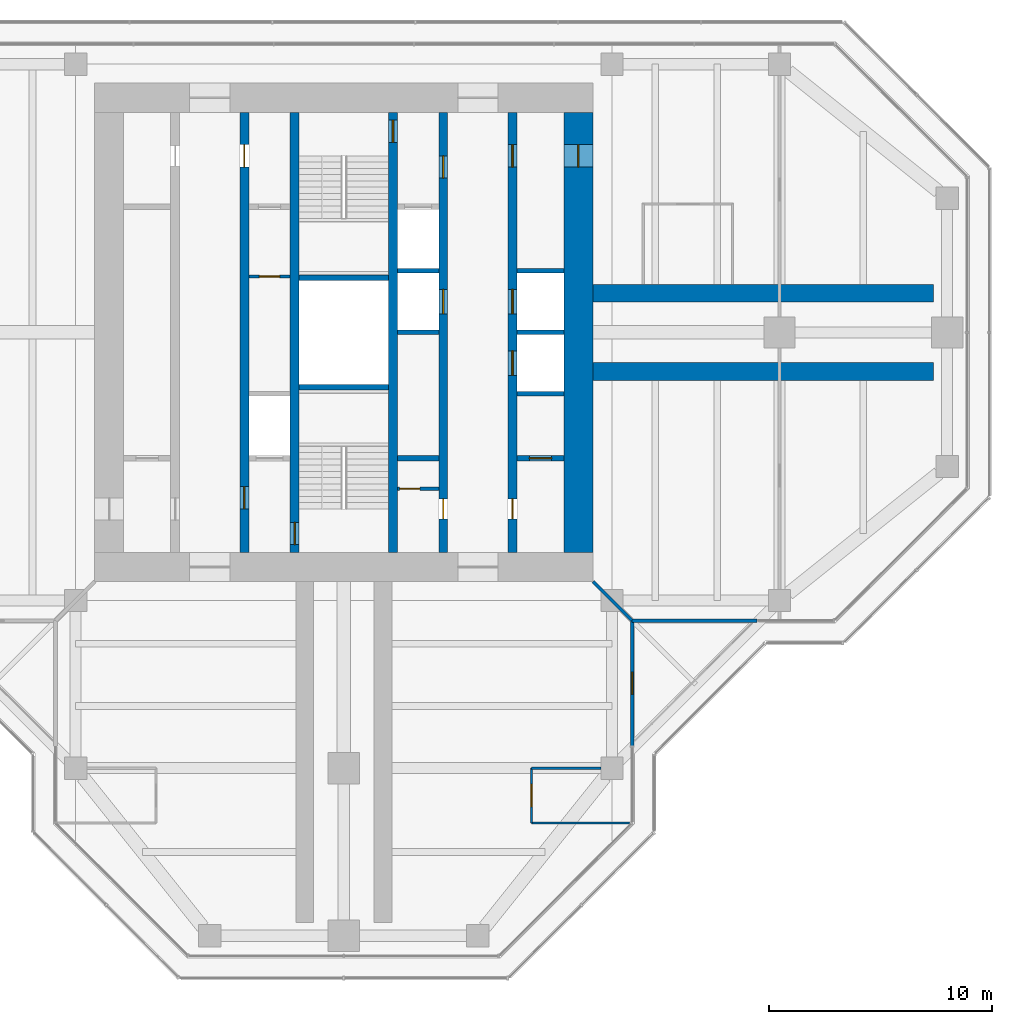
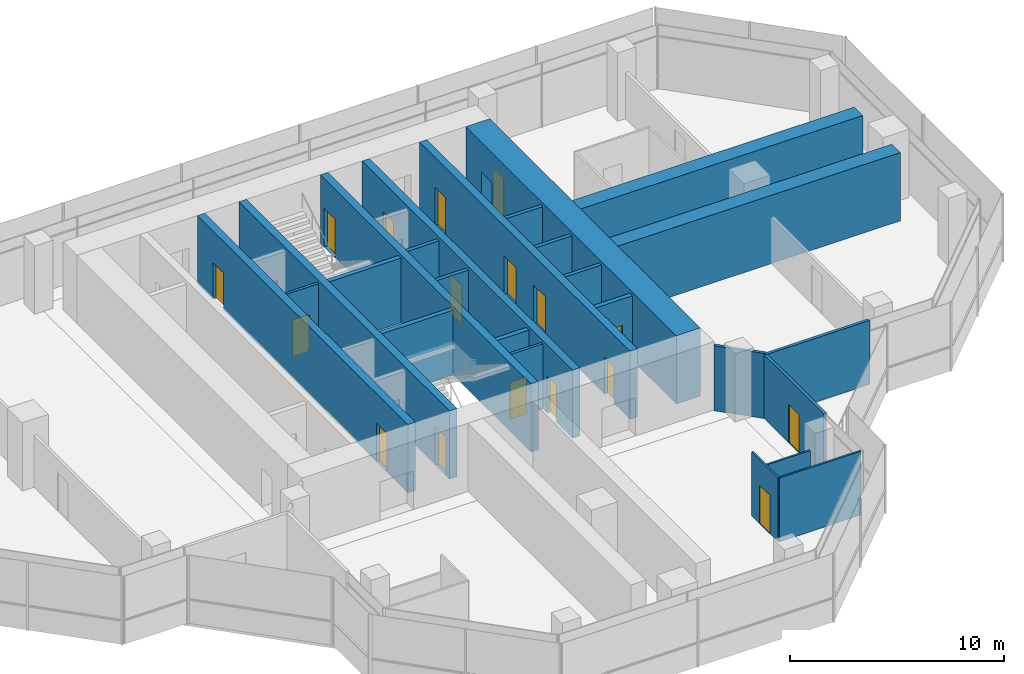
# One storey, part 12 of 15: 25 walls, 17 doors, 17 openings.
"""IFC4 building model written with IfcOpenShell, lengths in metres."""

import ifcopenshell
import ifcopenshell.guid

model = None  # the IFC model being written
_history = None  # IfcOwnerHistory: only IFC2X3 demands one
_inside = {}  # id of a spatial element -> (the spatial element, [elements in it])
_under = {}  # id of a project, library or spatial element -> (it, [spatial elements below it])
_declared = {}  # id of a project -> (the project, [libraries it declares])
_typed = {}  # id of a type object -> (the type object, [elements of that type])
_made_of = {}  # id of a material, layer set ... -> (it, [elements and type objects made of it])


def new_model(schema):
    """Start an empty IFC model of exactly this schema.

    Asked for "IFC4X3", IfcOpenShell would pick the latest addendum, in which some entities
    have other attributes; the version numbers below select the first issue.
    IFC2X3 requires an IfcOwnerHistory on every rooted entity: one is made here for all.
    """
    global model, _history
    if schema == "IFC4X3":
        model = ifcopenshell.file(schema_version=(4, 3, 0, 0))
    else:
        model = ifcopenshell.file(schema=schema)
    _inside.clear()
    _under.clear()
    _declared.clear()
    _typed.clear()
    _made_of.clear()
    _history = None
    if model.schema == "IFC2X3":
        org = make("IfcOrganization", Name="unknown")
        user = make(
            "IfcPersonAndOrganization",
            ThePerson=make("IfcPerson", FamilyName="unknown"),
            TheOrganization=org,
        )
        app = make(
            "IfcApplication",
            ApplicationDeveloper=org,
            Version="unknown",
            ApplicationFullName="unknown",
            ApplicationIdentifier="unknown",
        )
        _history = make(
            "IfcOwnerHistory",
            OwningUser=user,
            OwningApplication=app,
            ChangeAction="ADDED",
            CreationDate=0,
        )
    return model


def make(cls, **values):
    """One entity of the class cls with the attributes given. An attribute that is None is left unset."""
    return model.create_entity(
        cls, **{name: value for name, value in values.items() if value is not None}
    )


def rooted(cls, **values):
    """An entity with a GlobalId (a new one), such as an element, a storey or a relation."""
    return make(cls, GlobalId=ifcopenshell.guid.new(), OwnerHistory=_history, **values)


def si_unit(unit_type, name, prefix=None):
    """IfcSIUnit, for example si_unit("LENGTHUNIT", "METRE", prefix="MILLI")."""
    return make("IfcSIUnit", UnitType=unit_type, Prefix=prefix, Name=name)


def assignment(units):
    """IfcUnitAssignment: the units of a project."""
    return None if units is None else make("IfcUnitAssignment", Units=units)


def point(xyz):
    """IfcCartesianPoint."""
    return None if xyz is None else make("IfcCartesianPoint", Coordinates=xyz)


def direction(xyz):
    """IfcDirection."""
    return None if xyz is None else make("IfcDirection", DirectionRatios=xyz)


def frame(location, z_axis=None, x_axis=None):
    """IfcAxis2Placement3D, a coordinate frame: its origin and axes. An axis left out is left unset."""
    return make(
        "IfcAxis2Placement3D",
        Location=point(location),
        Axis=direction(z_axis),
        RefDirection=direction(x_axis),
    )


def frame_2d(location, x_axis=None):
    """IfcAxis2Placement2D, a coordinate frame in the plane: its origin and x axis."""
    return make(
        "IfcAxis2Placement2D", Location=point(location), RefDirection=direction(x_axis)
    )


def origin():
    """The frame at (0, 0, 0) with its axes left unset."""
    return frame((0.0, 0.0, 0.0))


def place(relative_to, where):
    """IfcLocalPlacement: puts the frame where relative to a parent placement (None: the world)."""
    return make(
        "IfcLocalPlacement", PlacementRelTo=relative_to, RelativePlacement=where
    )


def context(
    kind, dimensions, precision=None, world=None, true_north=None, identifier=None
):
    """IfcGeometricRepresentationContext, for example the 3D "Model" context."""
    return make(
        "IfcGeometricRepresentationContext",
        ContextIdentifier=identifier,
        ContextType=kind,
        CoordinateSpaceDimension=dimensions,
        Precision=precision,
        WorldCoordinateSystem=world,
        TrueNorth=true_north,
    )


def subcontext(parent, identifier, kind, view, scale=None):
    """IfcGeometricRepresentationSubContext, for example "Body" below "Model"."""
    return make(
        "IfcGeometricRepresentationSubContext",
        ContextIdentifier=identifier,
        ContextType=kind,
        ParentContext=parent,
        TargetScale=scale,
        TargetView=view,
    )


def project(units=None, contexts=None):
    """IfcProject with its units and contexts."""
    return rooted(
        "IfcProject",
        Name="project",
        RepresentationContexts=contexts,
        UnitsInContext=assignment(units),
    )


def spatial(cls, under=None, at=None, **own):
    """A site, building, storey or space (cls), placed at a placement, below another one or the project."""
    s = rooted(cls, ObjectPlacement=at, **own)
    if under is not None:
        _under.setdefault(under.id(), (under, []))[1].append(s)
    return s


def profile(cls, at=None, kind="AREA", **sizes):
    """A parametric profile (cls). Its sizes go by their IFC names, for example OverallWidth=200.0."""
    return make(cls, ProfileType=kind, Position=at, **sizes)


def rectangle(**sizes):
    """IfcRectangleProfileDef."""
    return profile("IfcRectangleProfileDef", **sizes)


def extrude(swept, where, along, depth):
    """IfcExtrudedAreaSolid: the profile swept, set in the frame where, extruded along a direction by depth."""
    return make(
        "IfcExtrudedAreaSolid",
        SweptArea=swept,
        Position=where,
        ExtrudedDirection=direction(along),
        Depth=depth,
    )


def shape(context_of_items, identifier, shape_type, items):
    """IfcShapeRepresentation: the items that make up one representation, for example the "Body"."""
    return make(
        "IfcShapeRepresentation",
        ContextOfItems=context_of_items,
        RepresentationIdentifier=identifier,
        RepresentationType=shape_type,
        Items=items,
    )


def material(Name=None, Category=None):
    """IfcMaterial."""
    return make("IfcMaterial", Name=Name, Category=Category)


def layer(
    of_material, thickness, ventilated=None, Name=None, Category=None, Priority=None
):
    """IfcMaterialLayer: one layer of a wall or slab, of a material (None: an air gap)."""
    return make(
        "IfcMaterialLayer",
        Material=of_material,
        LayerThickness=thickness,
        IsVentilated=ventilated,
        Name=Name,
        Category=Category,
        Priority=Priority,
    )


def layer_set(layers, Name=None):
    """IfcMaterialLayerSet."""
    return make("IfcMaterialLayerSet", MaterialLayers=layers, LayerSetName=Name)


def made_of(thing, what):
    """Note that an element or type object is made of a material, layer set ...; save() writes the relation."""
    if what is not None:
        _made_of.setdefault(what.id(), (what, []))[1].append(thing)
    return thing


def type_object(cls, material=None, **own):
    """A type object (cls), such as IfcWallType, which elements share."""
    return made_of(rooted(cls, **own), material)


def element(
    cls,
    number,
    at=None,
    inside=None,
    cuts=None,
    type_object=None,
    material=None,
    context=None,
    identifier="Body",
    shape_type=None,
    held_by="IfcProductDefinitionShape",
    body=None,
    shapes=None,
    **own,
):
    """One element of the class cls, such as IfcWall. Its Tag is "e" and its number.

    at: its placement. inside: the storey or other place that contains it. cuts: it is an
    opening in that element (IfcRelVoidsElement). A single representation is given by context,
    identifier, shape_type and body (its items); several are given by shapes. held_by: the class
    of the entity that holds the representations. save() writes the other relations.
    """
    e = rooted(cls, Tag="e%d" % number, ObjectPlacement=at, **own)
    if body is not None:
        shapes = [shape(context, identifier, shape_type, body)]
    if shapes is not None:
        e.Representation = make(held_by, Representations=shapes)
    if inside is not None:
        _inside.setdefault(inside.id(), (inside, []))[1].append(e)
    if cuts is not None:
        rooted(
            "IfcRelVoidsElement", RelatingBuildingElement=cuts, RelatedOpeningElement=e
        )
    if type_object is not None:
        _typed.setdefault(type_object.id(), (type_object, []))[1].append(e)
    return made_of(e, material)


def fill(opening, filler):
    """IfcRelFillsElement: the door or window that sits in an opening."""
    return rooted(
        "IfcRelFillsElement",
        RelatingOpeningElement=opening,
        RelatedBuildingElement=filler,
    )


def aggregate(whole, parts):
    """IfcRelAggregates: a whole, such as a stair, and the parts it consists of."""
    return rooted("IfcRelAggregates", RelatingObject=whole, RelatedObjects=parts)


def save(model, path):
    """Write the relations noted so far, then the file.

    IfcRelAggregates (storeys below a building ...), IfcRelContainedInSpatialStructure (elements
    in a storey), IfcRelDefinesByType, IfcRelAssociatesMaterial and IfcRelDeclares: one each for
    every whole, place, type object, material and project.
    """
    for whole, parts in _under.values():
        aggregate(whole, parts)
    for where, things in _inside.values():
        rooted(
            "IfcRelContainedInSpatialStructure",
            RelatedElements=things,
            RelatingStructure=where,
        )
    for kind, things in _typed.values():
        rooted("IfcRelDefinesByType", RelatedObjects=things, RelatingType=kind)
    for what, things in _made_of.values():
        rooted("IfcRelAssociatesMaterial", RelatedObjects=things, RelatingMaterial=what)
    for by, libraries in _declared.values():
        rooted("IfcRelDeclares", RelatingContext=by, RelatedDefinitions=libraries)
    model.write(path)


model = new_model("IFC4")

# Units and contexts
model_context = context("Model", 3, precision=1e-05, world=origin(), true_north=direction((0.0, 1.0)))
body_context = subcontext(model_context, "Body", "Model", "MODEL_VIEW")
ifc_project = project(units=[si_unit("LENGTHUNIT", "METRE"), si_unit("AREAUNIT", "SQUARE_METRE"), si_unit("VOLUMEUNIT", "CUBIC_METRE"), si_unit("PLANEANGLEUNIT", "RADIAN"), si_unit("MASSUNIT", "GRAM", prefix="KILO")], contexts=[model_context])

# Site, building, storey
site_placement = place(None, origin())
site = spatial("IfcSite", under=ifc_project, at=site_placement, CompositionType="ELEMENT")
building_placement = place(site_placement, origin())
building = spatial("IfcBuilding", under=site, at=building_placement, Name="Mizan Broadcast Tower", CompositionType="ELEMENT")
storey_placement = place(building_placement, frame((0.0, 0.0, 302.39990234375)))
storey = spatial("IfcBuildingStorey", under=building, at=storey_placement, Name="L72", CompositionType="ELEMENT", Elevation=302.39990234375)

# Wall, openings, doors
ifc_material_1 = material(Name="Concrete C70/85", Category="concrete")
ifc_layer_1 = layer(ifc_material_1, 0.39990234375)
ifc_layer_set_1 = layer_set([ifc_layer_1], Name="Concrete C70/85")
wall_type_1 = type_object("IfcWallType", Name="CORE INTERNAL WALL 400", PredefinedType="SHEAR", material=ifc_layer_set_1)
wall_1_placement = place(storey_placement, frame((7.550048828125, 9.85009765625, 0.0), z_axis=(0.0, 0.0, 1.0), x_axis=(0.0, -1.0, 0.0)))
wall_1 = element("IfcWall", 1, at=wall_1_placement, inside=storey, type_object=wall_type_1, Name="Core wall CORE/XW1E", PredefinedType="SHEAR", context=body_context, shape_type="SweptSolid", body=[
    extrude(rectangle(XDim=19.7001953125, YDim=0.39990234375, at=frame_2d((9.85009765625, 0.0))), origin(), (0.0, 0.0, 1.0), 3.900146484375),
])
opening_1_placement = place(wall_1_placement, frame((1.449951171875, 0.0, 0.0)))
opening_1 = element("IfcOpeningElement", 2, at=opening_1_placement, cuts=wall_1, Name="Opening D10F", PredefinedType="OPENING", context=body_context, shape_type="SweptSolid", body=[
    extrude(rectangle(XDim=1.0, YDim=2.199951171875, at=frame_2d((0.5, 1.10009765625))), frame((0.0, 0.2099609375, 0.0), z_axis=(0.0, -1.0, 0.0), x_axis=(1.0, 0.0, 0.0)), (0.0, 0.0, 1.0), 0.419921875),
])
opening_2_placement = place(wall_1_placement, frame((17.300048828125, 0.0, 0.0)))
opening_2 = element("IfcOpeningElement", 3, at=opening_2_placement, cuts=wall_1, Name="Opening D09", PredefinedType="OPENING", context=body_context, shape_type="SweptSolid", body=[
    extrude(rectangle(XDim=0.89990234375, YDim=2.10009765625, at=frame_2d((0.449951171875, 1.050048828125))), frame((0.0, 0.2099609375, 0.0), z_axis=(0.0, -1.0, 0.0), x_axis=(1.0, 0.0, 0.0)), (0.0, 0.0, 1.0), 0.419921875),
])
opening_3_placement = place(wall_1_placement, frame((7.925048828125, 0.0, 0.0)))
opening_3 = element("IfcOpeningElement", 4, at=opening_3_placement, cuts=wall_1, Name="Opening LD", PredefinedType="OPENING", context=body_context, shape_type="SweptSolid", body=[
    extrude(rectangle(XDim=1.10009765625, YDim=2.199951171875, at=frame_2d((0.550048828125, 1.10009765625))), frame((0.0, 0.2099609375, 0.0), z_axis=(0.0, -1.0, 0.0), x_axis=(1.0, 0.0, 0.0)), (0.0, 0.0, 1.0), 0.419921875),
])
opening_4_placement = place(wall_1_placement, frame((10.675048828125, 0.0, 0.0)))
opening_4 = element("IfcOpeningElement", 5, at=opening_4_placement, cuts=wall_1, Name="Opening LD", PredefinedType="OPENING", context=body_context, shape_type="SweptSolid", body=[
    extrude(rectangle(XDim=1.10009765625, YDim=2.199951171875, at=frame_2d((0.550048828125, 1.10009765625))), frame((0.0, 0.2099609375, 0.0), z_axis=(0.0, -1.0, 0.0), x_axis=(1.0, 0.0, 0.0)), (0.0, 0.0, 1.0), 0.419921875),
])
ifc_material_2 = material(Name="Steel door leaf in steel frame", Category="steel")
door_type_1 = type_object("IfcDoorType", Name="FIRE DOOR 1000 FD90", OperationType="SINGLE_SWING_LEFT", PredefinedType="DOOR", material=ifc_material_2)
door_1_placement = place(opening_1_placement, origin())
door_1 = element("IfcDoor", 6, at=door_1_placement, inside=storey, type_object=door_type_1, Name="East core passage door", OperationType="SINGLE_SWING_LEFT", OverallHeight=2.199951171875, OverallWidth=1.0, PredefinedType="DOOR", context=body_context, shape_type="SweptSolid", body=[
    extrude(rectangle(XDim=1.0, YDim=2.199951171875, at=frame_2d((0.5, 1.10009765625))), frame((0.0, 0.02490234375, 0.0), z_axis=(0.0, -1.0, 0.0), x_axis=(1.0, 0.0, 0.0)), (0.0, 0.0, 1.0), 0.050048828125),
])
fill(opening_1, door_1)
ifc_material_3 = material(Name="Steel door leaf in steel frame", Category="steel")
door_type_2 = type_object("IfcDoorType", Name="LIFT LANDING DOOR 1100", OperationType="SLIDING_TO_LEFT", PredefinedType="DOOR", material=ifc_material_3)
door_2_placement = place(opening_3_placement, origin())
door_2 = element("IfcDoor", 7, at=door_2_placement, inside=storey, type_object=door_type_2, Name="Landing door LD1", OperationType="SLIDING_TO_LEFT", OverallHeight=2.199951171875, OverallWidth=1.10009765625, PredefinedType="DOOR", context=body_context, shape_type="SweptSolid", body=[
    extrude(rectangle(XDim=1.10009765625, YDim=2.199951171875, at=frame_2d((0.550048828125, 1.10009765625))), frame((0.0, 0.02490234375, 0.0), z_axis=(0.0, -1.0, 0.0), x_axis=(1.0, 0.0, 0.0)), (0.0, 0.0, 1.0), 0.050048828125),
])
fill(opening_3, door_2)
door_3_placement = place(opening_4_placement, origin())
door_3 = element("IfcDoor", 8, at=door_3_placement, inside=storey, type_object=door_type_2, Name="Landing door LD2", OperationType="SLIDING_TO_LEFT", OverallHeight=2.199951171875, OverallWidth=1.10009765625, PredefinedType="DOOR", context=body_context, shape_type="SweptSolid", body=[
    extrude(rectangle(XDim=1.10009765625, YDim=2.199951171875, at=frame_2d((0.550048828125, 1.10009765625))), frame((0.0, 0.02490234375, 0.0), z_axis=(0.0, -1.0, 0.0), x_axis=(1.0, 0.0, 0.0)), (0.0, 0.0, 1.0), 0.050048828125),
])
fill(opening_4, door_3)
ifc_material_4 = material(Name="Timber door leaf in aluminium frame", Category="wood")
door_type_3 = type_object("IfcDoorType", Name="TOILET DOOR 900", OperationType="SINGLE_SWING_LEFT", PredefinedType="DOOR", material=ifc_material_4)
door_4_placement = place(opening_2_placement, origin())
door_4 = element("IfcDoor", 9, at=door_4_placement, inside=storey, type_object=door_type_3, Name="Female WC door", OperationType="SINGLE_SWING_RIGHT", OverallHeight=2.10009765625, OverallWidth=0.89990234375, PredefinedType="DOOR", context=body_context, shape_type="SweptSolid", body=[
    extrude(rectangle(XDim=0.89990234375, YDim=2.10009765625, at=frame_2d((0.449951171875, 1.050048828125))), frame((0.0, 0.02490234375, 0.0), z_axis=(0.0, -1.0, 0.0), x_axis=(1.0, 0.0, 0.0)), (0.0, 0.0, 1.0), 0.050048828125),
])
fill(opening_2, door_4)

wall_2_placement = place(storey_placement, frame((-4.449951171875, -9.85009765625, 0.0), z_axis=(0.0, 0.0, 1.0), x_axis=(0.0, 1.0, 0.0)))
wall_2 = element("IfcWall", 10, at=wall_2_placement, inside=storey, type_object=wall_type_1, Name="Core wall CORE/XWH", PredefinedType="SHEAR", context=body_context, shape_type="SweptSolid", body=[
    extrude(rectangle(XDim=19.7001953125, YDim=0.39990234375, at=frame_2d((9.85009765625, 0.0))), origin(), (0.0, 0.0, 1.0), 3.900146484375),
])
opening_5_placement = place(wall_2_placement, frame((1.949951171875, 0.0, 0.0)))
opening_5 = element("IfcOpeningElement", 11, at=opening_5_placement, cuts=wall_2, Name="Opening D10F", PredefinedType="OPENING", context=body_context, shape_type="SweptSolid", body=[
    extrude(rectangle(XDim=1.0, YDim=2.199951171875, at=frame_2d((0.5, 1.10009765625))), frame((0.0, 0.2099609375, 0.0), z_axis=(0.0, -1.0, 0.0), x_axis=(1.0, 0.0, 0.0)), (0.0, 0.0, 1.0), 0.419921875),
])
opening_6_placement = place(wall_2_placement, frame((17.25, 0.0, 0.0)))
opening_6 = element("IfcOpeningElement", 12, at=opening_6_placement, cuts=wall_2, Name="Opening D10A", PredefinedType="OPENING", context=body_context, shape_type="SweptSolid", body=[
    extrude(rectangle(XDim=1.0, YDim=2.10009765625, at=frame_2d((0.5, 1.050048828125))), frame((0.0, 0.2099609375, 0.0), z_axis=(0.0, -1.0, 0.0), x_axis=(1.0, 0.0, 0.0)), (0.0, 0.0, 1.0), 0.419921875),
])
ifc_material_5 = material(Name="Timber door leaf in aluminium frame", Category="wood")
door_type_4 = type_object("IfcDoorType", Name="ACCESSIBLE WC DOOR 1000", OperationType="SLIDING_TO_LEFT", PredefinedType="DOOR", material=ifc_material_5)
door_5_placement = place(opening_6_placement, origin())
door_5 = element("IfcDoor", 13, at=door_5_placement, inside=storey, type_object=door_type_4, Name="Accessible WC door", OperationType="SLIDING_TO_LEFT", OverallHeight=2.10009765625, OverallWidth=1.0, PredefinedType="DOOR", context=body_context, shape_type="SweptSolid", body=[
    extrude(rectangle(XDim=1.0, YDim=2.10009765625, at=frame_2d((0.5, 1.050048828125))), frame((0.0, 0.02490234375, 0.0), z_axis=(0.0, -1.0, 0.0), x_axis=(1.0, 0.0, 0.0)), (0.0, 0.0, 1.0), 0.050048828125),
])
fill(opening_6, door_5)
door_6_placement = place(opening_5_placement, origin())
door_6 = element("IfcDoor", 14, at=door_6_placement, inside=storey, type_object=door_type_1, Name="Firefighting lobby A door", OperationType="SINGLE_SWING_LEFT", OverallHeight=2.199951171875, OverallWidth=1.0, PredefinedType="DOOR", context=body_context, shape_type="SweptSolid", body=[
    extrude(rectangle(XDim=1.0, YDim=2.199951171875, at=frame_2d((0.5, 1.10009765625))), frame((0.0, 0.02490234375, 0.0), z_axis=(0.0, -1.0, 0.0), x_axis=(1.0, 0.0, 0.0)), (0.0, 0.0, 1.0), 0.050048828125),
])
fill(opening_5, door_6)

wall_3_placement = place(storey_placement, frame((4.449951171875, 9.85009765625, 0.0), z_axis=(0.0, 0.0, 1.0), x_axis=(0.0, -1.0, 0.0)))
wall_3 = element("IfcWall", 15, at=wall_3_placement, inside=storey, type_object=wall_type_1, Name="Core wall CORE/XWHE", PredefinedType="SHEAR", context=body_context, shape_type="SweptSolid", body=[
    extrude(rectangle(XDim=19.7001953125, YDim=0.39990234375, at=frame_2d((9.85009765625, 0.0))), origin(), (0.0, 0.0, 1.0), 3.900146484375),
])
opening_7_placement = place(wall_3_placement, frame((1.949951171875, 0.0, 0.0)))
opening_7 = element("IfcOpeningElement", 16, at=opening_7_placement, cuts=wall_3, Name="Opening D10F", PredefinedType="OPENING", context=body_context, shape_type="SweptSolid", body=[
    extrude(rectangle(XDim=1.0, YDim=2.199951171875, at=frame_2d((0.5, 1.10009765625))), frame((0.0, 0.2099609375, 0.0), z_axis=(0.0, -1.0, 0.0), x_axis=(1.0, 0.0, 0.0)), (0.0, 0.0, 1.0), 0.419921875),
])
opening_8_placement = place(wall_3_placement, frame((17.300048828125, 0.0, 0.0)))
opening_8 = element("IfcOpeningElement", 17, at=opening_8_placement, cuts=wall_3, Name="Opening D09", PredefinedType="OPENING", context=body_context, shape_type="SweptSolid", body=[
    extrude(rectangle(XDim=0.89990234375, YDim=2.10009765625, at=frame_2d((0.449951171875, 1.050048828125))), frame((0.0, 0.2099609375, 0.0), z_axis=(0.0, -1.0, 0.0), x_axis=(1.0, 0.0, 0.0)), (0.0, 0.0, 1.0), 0.419921875),
])
opening_9_placement = place(wall_3_placement, frame((7.925048828125, 0.0, 0.0)))
opening_9 = element("IfcOpeningElement", 18, at=opening_9_placement, cuts=wall_3, Name="Opening LD", PredefinedType="OPENING", context=body_context, shape_type="SweptSolid", body=[
    extrude(rectangle(XDim=1.10009765625, YDim=2.199951171875, at=frame_2d((0.550048828125, 1.10009765625))), frame((0.0, 0.2099609375, 0.0), z_axis=(0.0, -1.0, 0.0), x_axis=(1.0, 0.0, 0.0)), (0.0, 0.0, 1.0), 0.419921875),
])
door_7_placement = place(opening_7_placement, origin())
door_7 = element("IfcDoor", 19, at=door_7_placement, inside=storey, type_object=door_type_1, Name="Firefighting lobby B door", OperationType="SINGLE_SWING_LEFT", OverallHeight=2.199951171875, OverallWidth=1.0, PredefinedType="DOOR", context=body_context, shape_type="SweptSolid", body=[
    extrude(rectangle(XDim=1.0, YDim=2.199951171875, at=frame_2d((0.5, 1.10009765625))), frame((0.0, 0.02490234375, 0.0), z_axis=(0.0, -1.0, 0.0), x_axis=(1.0, 0.0, 0.0)), (0.0, 0.0, 1.0), 0.050048828125),
])
fill(opening_7, door_7)
door_8_placement = place(opening_9_placement, origin())
door_8 = element("IfcDoor", 20, at=door_8_placement, inside=storey, type_object=door_type_2, Name="Landing door LD3", OperationType="SLIDING_TO_LEFT", OverallHeight=2.199951171875, OverallWidth=1.10009765625, PredefinedType="DOOR", context=body_context, shape_type="SweptSolid", body=[
    extrude(rectangle(XDim=1.10009765625, YDim=2.199951171875, at=frame_2d((0.550048828125, 1.10009765625))), frame((0.0, 0.02490234375, 0.0), z_axis=(0.0, -1.0, 0.0), x_axis=(1.0, 0.0, 0.0)), (0.0, 0.0, 1.0), 0.050048828125),
])
fill(opening_9, door_8)
door_9_placement = place(opening_8_placement, origin())
door_9 = element("IfcDoor", 21, at=door_9_placement, inside=storey, type_object=door_type_3, Name="Cleaner's store door", OperationType="SINGLE_SWING_RIGHT", OverallHeight=2.10009765625, OverallWidth=0.89990234375, PredefinedType="DOOR", context=body_context, shape_type="SweptSolid", body=[
    extrude(rectangle(XDim=0.89990234375, YDim=2.10009765625, at=frame_2d((0.449951171875, 1.050048828125))), frame((0.0, 0.02490234375, 0.0), z_axis=(0.0, -1.0, 0.0), x_axis=(1.0, 0.0, 0.0)), (0.0, 0.0, 1.0), 0.050048828125),
])
fill(opening_8, door_9)

# Wall, opening, door
wall_4_placement = place(storey_placement, frame((-2.199951171875, -9.85009765625, 0.0), z_axis=(0.0, 0.0, 1.0), x_axis=(0.0, 1.0, 0.0)))
wall_4 = element("IfcWall", 22, at=wall_4_placement, inside=storey, type_object=wall_type_1, Name="Core wall CORE/XW2", PredefinedType="SHEAR", context=body_context, shape_type="SweptSolid", body=[
    extrude(rectangle(XDim=19.7001953125, YDim=0.39990234375, at=frame_2d((9.85009765625, 0.0))), origin(), (0.0, 0.0, 1.0), 3.900146484375),
])
opening_10_placement = place(wall_4_placement, frame((0.35009765625, 0.0, 0.0)))
opening_10 = element("IfcOpeningElement", 23, at=opening_10_placement, cuts=wall_4, Name="Opening D10S", PredefinedType="OPENING", context=body_context, shape_type="SweptSolid", body=[
    extrude(rectangle(XDim=1.0, YDim=2.199951171875, at=frame_2d((0.5, 1.10009765625))), frame((0.0, 0.2099609375, 0.0), z_axis=(0.0, -1.0, 0.0), x_axis=(1.0, 0.0, 0.0)), (0.0, 0.0, 1.0), 0.419921875),
])
ifc_material_6 = material(Name="Steel door leaf in steel frame", Category="steel")
door_type_5 = type_object("IfcDoorType", Name="STAIR DOOR 1000 FD90S", OperationType="SINGLE_SWING_RIGHT", PredefinedType="DOOR", material=ifc_material_6)
door_10_placement = place(opening_10_placement, origin())
door_10 = element("IfcDoor", 24, at=door_10_placement, inside=storey, type_object=door_type_5, Name="Stair A door", OperationType="SINGLE_SWING_RIGHT", OverallHeight=2.199951171875, OverallWidth=1.0, PredefinedType="DOOR", context=body_context, shape_type="SweptSolid", body=[
    extrude(rectangle(XDim=1.0, YDim=2.199951171875, at=frame_2d((0.5, 1.10009765625))), frame((0.0, 0.02490234375, 0.0), z_axis=(0.0, -1.0, 0.0), x_axis=(1.0, 0.0, 0.0)), (0.0, 0.0, 1.0), 0.050048828125),
])
fill(opening_10, door_10)

wall_5_placement = place(storey_placement, frame((2.199951171875, 9.85009765625, 0.0), z_axis=(0.0, 0.0, 1.0), x_axis=(0.0, -1.0, 0.0)))
wall_5 = element("IfcWall", 25, at=wall_5_placement, inside=storey, type_object=wall_type_1, Name="Core wall CORE/XW2E", PredefinedType="SHEAR", context=body_context, shape_type="SweptSolid", body=[
    extrude(rectangle(XDim=19.7001953125, YDim=0.39990234375, at=frame_2d((9.85009765625, 0.0))), origin(), (0.0, 0.0, 1.0), 3.900146484375),
])
opening_11_placement = place(wall_5_placement, frame((0.35009765625, 0.0, 0.0)))
opening_11 = element("IfcOpeningElement", 26, at=opening_11_placement, cuts=wall_5, Name="Opening D10S", PredefinedType="OPENING", context=body_context, shape_type="SweptSolid", body=[
    extrude(rectangle(XDim=1.0, YDim=2.199951171875, at=frame_2d((0.5, 1.10009765625))), frame((0.0, 0.2099609375, 0.0), z_axis=(0.0, -1.0, 0.0), x_axis=(1.0, 0.0, 0.0)), (0.0, 0.0, 1.0), 0.419921875),
])
door_11_placement = place(opening_11_placement, origin())
door_11 = element("IfcDoor", 27, at=door_11_placement, inside=storey, type_object=door_type_5, Name="Stair B door", OperationType="SINGLE_SWING_RIGHT", OverallHeight=2.199951171875, OverallWidth=1.0, PredefinedType="DOOR", context=body_context, shape_type="SweptSolid", body=[
    extrude(rectangle(XDim=1.0, YDim=2.199951171875, at=frame_2d((0.5, 1.10009765625))), frame((0.0, 0.02490234375, 0.0), z_axis=(0.0, -1.0, 0.0), x_axis=(1.0, 0.0, 0.0)), (0.0, 0.0, 1.0), 0.050048828125),
])
fill(opening_11, door_11)

ifc_material_7 = material(Name="Concrete blockwork", Category="masonry")
ifc_layer_2 = layer(ifc_material_7, 0.14990234375)
ifc_layer_set_2 = layer_set([ifc_layer_2], Name="Concrete blockwork")
wall_type_2 = type_object("IfcWallType", Name="CORE PARTITION 150", PredefinedType="SOLIDWALL", material=ifc_layer_set_2)
wall_6_placement = place(storey_placement, frame((-4.25, 2.5, 0.0), z_axis=(0.0, 0.0, 1.0), x_axis=(1.0, 0.0, 0.0)))
wall_6 = element("IfcWall", 28, at=wall_6_placement, inside=storey, type_object=wall_type_2, Name="Core partition CORE/XP2", PredefinedType="SOLIDWALL", context=body_context, shape_type="SweptSolid", body=[
    extrude(rectangle(XDim=1.85009765625, YDim=0.14990234375, at=frame_2d((0.925048828125, 0.0))), origin(), (0.0, 0.0, 1.0), 3.72021484375),
])
opening_12_placement = place(wall_6_placement, frame((0.47509765625, 0.0, 0.0)))
opening_12 = element("IfcOpeningElement", 29, at=opening_12_placement, cuts=wall_6, Name="Opening D09F", PredefinedType="OPENING", context=body_context, shape_type="SweptSolid", body=[
    extrude(rectangle(XDim=0.89990234375, YDim=2.10009765625, at=frame_2d((0.449951171875, 1.050048828125))), frame((0.0, 0.0849609375, 0.0), z_axis=(0.0, -1.0, 0.0), x_axis=(1.0, 0.0, 0.0)), (0.0, 0.0, 1.0), 0.169921875),
])
ifc_material_8 = material(Name="Steel door leaf in steel frame", Category="steel")
door_type_6 = type_object("IfcDoorType", Name="CORE ROOM DOOR 900 FD90", OperationType="SINGLE_SWING_LEFT", PredefinedType="DOOR", material=ifc_material_8)
door_12_placement = place(opening_12_placement, origin())
door_12 = element("IfcDoor", 30, at=door_12_placement, inside=storey, type_object=door_type_6, Name="Shower store door", OperationType="SINGLE_SWING_RIGHT", OverallHeight=2.10009765625, OverallWidth=0.89990234375, PredefinedType="DOOR", context=body_context, shape_type="SweptSolid", body=[
    extrude(rectangle(XDim=0.89990234375, YDim=2.10009765625, at=frame_2d((0.449951171875, 1.050048828125))), frame((0.0, 0.02490234375, 0.0), z_axis=(0.0, -1.0, 0.0), x_axis=(1.0, 0.0, 0.0)), (0.0, 0.0, 1.0), 0.050048828125),
])
fill(opening_12, door_12)

wall_7_placement = place(storey_placement, frame((2.39990234375, -7.0, 0.0), z_axis=(0.0, 0.0, 1.0), x_axis=(1.0, 0.0, 0.0)))
wall_7 = element("IfcWall", 31, at=wall_7_placement, inside=storey, type_object=wall_type_2, Name="Core partition CORE/XPC", PredefinedType="SOLIDWALL", context=body_context, shape_type="SweptSolid", body=[
    extrude(rectangle(XDim=1.85009765625, YDim=0.14990234375, at=frame_2d((0.925048828125, 0.0))), origin(), (0.0, 0.0, 1.0), 3.72021484375),
])
opening_13_placement = place(wall_7_placement, frame((0.10009765625, 0.0, 0.0)))
opening_13 = element("IfcOpeningElement", 32, at=opening_13_placement, cuts=wall_7, Name="Opening D09F", PredefinedType="OPENING", context=body_context, shape_type="SweptSolid", body=[
    extrude(rectangle(XDim=0.89990234375, YDim=2.10009765625, at=frame_2d((0.449951171875, 1.050048828125))), frame((0.0, 0.0849609375, 0.0), z_axis=(0.0, -1.0, 0.0), x_axis=(1.0, 0.0, 0.0)), (0.0, 0.0, 1.0), 0.169921875),
])
door_13_placement = place(opening_13_placement, origin())
door_13 = element("IfcDoor", 33, at=door_13_placement, inside=storey, type_object=door_type_6, Name="Cleaning materials store door", OperationType="SINGLE_SWING_LEFT", OverallHeight=2.10009765625, OverallWidth=0.89990234375, PredefinedType="DOOR", context=body_context, shape_type="SweptSolid", body=[
    extrude(rectangle(XDim=0.89990234375, YDim=2.10009765625, at=frame_2d((0.449951171875, 1.050048828125))), frame((0.0, 0.02490234375, 0.0), z_axis=(0.0, -1.0, 0.0), x_axis=(1.0, 0.0, 0.0)), (0.0, 0.0, 1.0), 0.050048828125),
])
fill(opening_13, door_13)

ifc_material_9 = material(Name="Concrete C70/85", Category="concrete")
ifc_layer_3 = layer(ifc_material_9, 1.300048828125)
ifc_layer_set_3 = layer_set([ifc_layer_3], Name="Concrete C70/85")
wall_type_3 = type_object("IfcWallType", Name="CORE WALL 1300", PredefinedType="SHEAR", material=ifc_layer_set_3)
wall_8_placement = place(storey_placement, frame((10.5, -9.85009765625, 0.0), z_axis=(0.0, 0.0, 1.0), x_axis=(0.0, 1.0, 0.0)))
wall_8 = element("IfcWall", 34, at=wall_8_placement, inside=storey, type_object=wall_type_3, Name="Core wall E L72", PredefinedType="SHEAR", context=body_context, shape_type="SweptSolid", body=[
    extrude(rectangle(XDim=19.7001953125, YDim=1.300048828125, at=frame_2d((9.85009765625, 0.0))), origin(), (0.0, 0.0, 1.0), 3.900146484375),
])
opening_14_placement = place(wall_8_placement, frame((17.25, 0.0, 0.0)))
opening_14 = element("IfcOpeningElement", 35, at=opening_14_placement, cuts=wall_8, Name="Opening D10F", PredefinedType="OPENING", context=body_context, shape_type="SweptSolid", body=[
    extrude(rectangle(XDim=1.0, YDim=2.199951171875, at=frame_2d((0.5, 1.10009765625))), frame((0.0, 0.659912109375, 0.0), z_axis=(0.0, -1.0, 0.0), x_axis=(1.0, 0.0, 0.0)), (0.0, 0.0, 1.0), 1.320068359375),
])
door_14_placement = place(opening_14_placement, origin())
door_14 = element("IfcDoor", 36, at=door_14_placement, inside=storey, type_object=door_type_1, Name="East core passage arm door", OperationType="SINGLE_SWING_RIGHT", OverallHeight=2.199951171875, OverallWidth=1.0, PredefinedType="DOOR", context=body_context, shape_type="SweptSolid", body=[
    extrude(rectangle(XDim=1.0, YDim=2.199951171875, at=frame_2d((0.5, 1.10009765625))), frame((0.0, 0.02490234375, 0.0), z_axis=(0.0, -1.0, 0.0), x_axis=(1.0, 0.0, 0.0)), (0.0, 0.0, 1.0), 0.050048828125),
])
fill(opening_14, door_14)

# Wall
ifc_material_10 = material(Name="Aluminium framed glazed screen", Category="aluminium")
ifc_layer_4 = layer(ifc_material_10, 0.159912109375)
ifc_layer_set_4 = layer_set([ifc_layer_4], Name="Aluminium framed glazed screen")
wall_type_4 = type_object("IfcWallType", Name="GLAZED SCREEN WALL 160", PredefinedType="SOLIDWALL", material=ifc_layer_set_4)
wall_9_placement = place(storey_placement, frame((12.89990234375, -12.89990234375, 0.0), z_axis=(0.0, 0.0, 1.0), x_axis=(1.0, 0.0, 0.0)))
element("IfcWall", 37, at=wall_9_placement, inside=storey, type_object=wall_type_4, Name="Winter garden screen L72 E", PredefinedType="SOLIDWALL", context=body_context, shape_type="SweptSolid", body=[
    extrude(rectangle(XDim=5.60009765625, YDim=0.159912109375, at=frame_2d((2.800048828125, 0.0))), origin(), (0.0, 0.0, 1.0), 3.650146484375),
])

# Wall, opening, door
wall_10_placement = place(storey_placement, frame((12.89990234375, -18.5, 0.0), z_axis=(0.0, 0.0, 1.0), x_axis=(0.0, 1.0, 0.0)))
wall_10 = element("IfcWall", 38, at=wall_10_placement, inside=storey, type_object=wall_type_4, Name="Winter garden screen L72 S", PredefinedType="SOLIDWALL", context=body_context, shape_type="SweptSolid", body=[
    extrude(rectangle(XDim=5.60009765625, YDim=0.159912109375, at=frame_2d((2.800048828125, 0.0))), origin(), (0.0, 0.0, 1.0), 3.650146484375),
])
opening_15_placement = place(wall_10_placement, frame((2.300048828125, 0.0, 0.0)))
opening_15 = element("IfcOpeningElement", 39, at=opening_15_placement, cuts=wall_10, Name="Opening WGD", PredefinedType="OPENING", context=body_context, shape_type="SweptSolid", body=[
    extrude(rectangle(XDim=1.0, YDim=2.199951171875, at=frame_2d((0.5, 1.10009765625))), frame((0.0, 0.08984375, 0.0), z_axis=(0.0, -1.0, 0.0), x_axis=(1.0, 0.0, 0.0)), (0.0, 0.0, 1.0), 0.179931640625),
])
ifc_material_11 = material(Name="Aluminium framed glazed door", Category="aluminium")
door_type_7 = type_object("IfcDoorType", Name="WINTER GARDEN DOOR 1000 GLAZED", OperationType="SINGLE_SWING_LEFT", PredefinedType="DOOR", material=ifc_material_11)
door_15_placement = place(opening_15_placement, origin())
door_15 = element("IfcDoor", 40, at=door_15_placement, inside=storey, type_object=door_type_7, Name="Winter garden door L72 S", OperationType="SINGLE_SWING_RIGHT", OverallHeight=2.199951171875, OverallWidth=1.0, PredefinedType="DOOR", context=body_context, shape_type="SweptSolid", body=[
    extrude(rectangle(XDim=1.0, YDim=2.199951171875, at=frame_2d((0.5, 1.10009765625))), frame((0.0, 0.02490234375, 0.0), z_axis=(0.0, -1.0, 0.0), x_axis=(1.0, 0.0, 0.0)), (0.0, 0.0, 1.0), 0.050048828125),
])
fill(opening_15, door_15)

# Walls
ifc_material_12 = material(Name="Concrete blockwork", Category="masonry")
ifc_layer_5 = layer(ifc_material_12, 0.199951171875)
ifc_layer_set_5 = layer_set([ifc_layer_5], Name="Concrete blockwork")
wall_type_5 = type_object("IfcWallType", Name="LIFT SHAFT WALL 200", PredefinedType="SOLIDWALL", material=ifc_layer_set_5)
wall_11_placement = place(storey_placement, frame((7.75, -2.75, 0.0), z_axis=(0.0, 0.0, 1.0), x_axis=(1.0, 0.0, 0.0)))
element("IfcWall", 41, at=wall_11_placement, inside=storey, type_object=wall_type_5, Name="Lift shaft wall CORE/SE1-1", PredefinedType="SOLIDWALL", context=body_context, shape_type="SweptSolid", body=[
    extrude(rectangle(XDim=2.10009765625, YDim=0.199951171875, at=frame_2d((1.050048828125, 0.0))), origin(), (0.0, 0.0, 1.0), 3.7001953125),
])
wall_12_placement = place(storey_placement, frame((2.39990234375, 0.0, 0.0), z_axis=(0.0, 0.0, 1.0), x_axis=(1.0, 0.0, 0.0)))
element("IfcWall", 42, at=wall_12_placement, inside=storey, type_object=wall_type_5, Name="Lift shaft wall CORE/SE2-2", PredefinedType="SOLIDWALL", context=body_context, shape_type="SweptSolid", body=[
    extrude(rectangle(XDim=1.85009765625, YDim=0.199951171875, at=frame_2d((0.925048828125, 0.0))), origin(), (0.0, 0.0, 1.0), 3.7001953125),
])
wall_13_placement = place(storey_placement, frame((7.75, 0.0, 0.0), z_axis=(0.0, 0.0, 1.0), x_axis=(1.0, 0.0, 0.0)))
element("IfcWall", 43, at=wall_13_placement, inside=storey, type_object=wall_type_5, Name="Lift shaft wall CORE/SE1-2", PredefinedType="SOLIDWALL", context=body_context, shape_type="SweptSolid", body=[
    extrude(rectangle(XDim=2.10009765625, YDim=0.199951171875, at=frame_2d((1.050048828125, 0.0))), origin(), (0.0, 0.0, 1.0), 3.7001953125),
])
wall_14_placement = place(storey_placement, frame((2.39990234375, 2.75, 0.0), z_axis=(0.0, 0.0, 1.0), x_axis=(1.0, 0.0, 0.0)))
element("IfcWall", 44, at=wall_14_placement, inside=storey, type_object=wall_type_5, Name="Lift shaft wall CORE/SE2-3", PredefinedType="SOLIDWALL", context=body_context, shape_type="SweptSolid", body=[
    extrude(rectangle(XDim=1.85009765625, YDim=0.199951171875, at=frame_2d((0.925048828125, 0.0))), origin(), (0.0, 0.0, 1.0), 3.7001953125),
])
wall_15_placement = place(storey_placement, frame((7.75, 2.75, 0.0), z_axis=(0.0, 0.0, 1.0), x_axis=(1.0, 0.0, 0.0)))
element("IfcWall", 45, at=wall_15_placement, inside=storey, type_object=wall_type_5, Name="Lift shaft wall CORE/SE1-3", PredefinedType="SOLIDWALL", context=body_context, shape_type="SweptSolid", body=[
    extrude(rectangle(XDim=2.10009765625, YDim=0.199951171875, at=frame_2d((1.050048828125, 0.0))), origin(), (0.0, 0.0, 1.0), 3.7001953125),
])
ifc_material_13 = material(Name="Concrete blockwork", Category="masonry")
ifc_layer_6 = layer(ifc_material_13, 0.25)
ifc_layer_set_6 = layer_set([ifc_layer_6], Name="Concrete blockwork")
wall_type_6 = type_object("IfcWallType", Name="LOBBY ENCLOSURE WALL 250", PredefinedType="SOLIDWALL", material=ifc_layer_set_6)
wall_16_placement = place(storey_placement, frame((2.39990234375, -5.625, 0.0), z_axis=(0.0, 0.0, 1.0), x_axis=(1.0, 0.0, 0.0)))
element("IfcWall", 46, at=wall_16_placement, inside=storey, type_object=wall_type_6, Name="Lobby enclosure wall CORE/BE2S", PredefinedType="SOLIDWALL", context=body_context, shape_type="SweptSolid", body=[
    extrude(rectangle(XDim=1.85009765625, YDim=0.25, at=frame_2d((0.925048828125, 0.0))), origin(), (0.0, 0.0, 1.0), 3.7001953125),
])

# Wall, opening, door
wall_17_placement = place(storey_placement, frame((7.75, -5.625, 0.0), z_axis=(0.0, 0.0, 1.0), x_axis=(1.0, 0.0, 0.0)))
wall_17 = element("IfcWall", 47, at=wall_17_placement, inside=storey, type_object=wall_type_6, Name="Lobby enclosure wall CORE/BE1S", PredefinedType="SOLIDWALL", context=body_context, shape_type="SweptSolid", body=[
    extrude(rectangle(XDim=2.10009765625, YDim=0.25, at=frame_2d((1.050048828125, 0.0))), origin(), (0.0, 0.0, 1.0), 3.7001953125),
])
opening_16_placement = place(wall_17_placement, frame((0.550048828125, 0.0, 0.0)))
opening_16 = element("IfcOpeningElement", 48, at=opening_16_placement, cuts=wall_17, Name="Opening D10F", PredefinedType="OPENING", context=body_context, shape_type="SweptSolid", body=[
    extrude(rectangle(XDim=1.0, YDim=2.199951171875, at=frame_2d((0.5, 1.10009765625))), frame((0.0, 0.135009765625, 0.0), z_axis=(0.0, -1.0, 0.0), x_axis=(1.0, 0.0, 0.0)), (0.0, 0.0, 1.0), 0.27001953125),
])
door_16_placement = place(opening_16_placement, origin())
door_16 = element("IfcDoor", 49, at=door_16_placement, inside=storey, type_object=door_type_1, Name="Staff locker room door", OperationType="SINGLE_SWING_LEFT", OverallHeight=2.199951171875, OverallWidth=1.0, PredefinedType="DOOR", context=body_context, shape_type="SweptSolid", body=[
    extrude(rectangle(XDim=1.0, YDim=2.199951171875, at=frame_2d((0.5, 1.10009765625))), frame((0.0, 0.02490234375, 0.0), z_axis=(0.0, -1.0, 0.0), x_axis=(1.0, 0.0, 0.0)), (0.0, 0.0, 1.0), 0.050048828125),
])
fill(opening_16, door_16)

# Walls
for number, where, z_axis, x_axis, name in (
    (50, (-2.0, -2.449951171875, 0.0), (0.0, 0.0, 1.0), (1.0, 0.0, 0.0), "Lobby enclosure wall CORE/STA"),
    (51, (-2.0, 2.449951171875, 0.0), (0.0, 0.0, 1.0), (1.0, 0.0, 0.0), "Lobby enclosure wall CORE/STB"),
):
    element("IfcWall", number, at=place(storey_placement, frame(where, z_axis=z_axis, x_axis=x_axis)), inside=storey, type_object=wall_type_6, Name=name, PredefinedType="SOLIDWALL", context=body_context, shape_type="SweptSolid", body=[
        extrude(rectangle(XDim=4.0, YDim=0.25, at=frame_2d((2.0, 0.0))), origin(), (0.0, 0.0, 1.0), 3.7001953125),
    ])
ifc_material_14 = material(Name="Gypsum board on steel studs", Category="steel")
ifc_layer_7 = layer(ifc_material_14, 0.14990234375)
ifc_layer_set_7 = layer_set([ifc_layer_7], Name="Gypsum board on steel studs")
wall_type_7 = type_object("IfcWallType", Name="PARTITION 150", PredefinedType="PARTITIONING", material=ifc_layer_set_7)
wall_18_placement = place(storey_placement, frame((11.14990234375, -11.14990234375, 0.0), z_axis=(0.0, 0.0, 1.0), x_axis=(0.707106781187, -0.707106781187, 0.0)))
element("IfcWall", 52, at=wall_18_placement, inside=storey, type_object=wall_type_7, Name="Partition PT/DGES", PredefinedType="PARTITIONING", context=body_context, shape_type="SweptSolid", body=[
    extrude(rectangle(XDim=2.460693359375, YDim=0.14990234375, at=frame_2d((1.23046875, 0.0))), origin(), (0.0, 0.0, 1.0), 3.72021484375),
])

# Wall, opening, door
ifc_material_15 = material(Name="Glazed aluminium partition on aluminium track", Category="aluminium")
ifc_layer_8 = layer(ifc_material_15, 0.10009765625)
ifc_layer_set_8 = layer_set([ifc_layer_8], Name="Glazed aluminium partition on aluminium track")
wall_type_8 = type_object("IfcWallType", Name="PARTITION GLAZED OFFICE FRONT 100", PredefinedType="PARTITIONING", material=ifc_layer_set_8)
wall_19_placement = place(storey_placement, frame((8.39990234375, -19.5, 0.0), z_axis=(0.0, 0.0, 1.0), x_axis=(0.0, -1.0, 0.0)))
wall_19 = element("IfcWall", 53, at=wall_19_placement, inside=storey, type_object=wall_type_8, Name="Glazed office front PT/SCP0", PredefinedType="PARTITIONING", context=body_context, shape_type="SweptSolid", body=[
    extrude(rectangle(XDim=2.458984375, YDim=0.10009765625, at=frame_2d((1.2294921875, 0.0))), origin(), (0.0, 0.0, 1.0), 3.650146484375),
])
opening_17_placement = place(wall_19_placement, frame((0.7294921875, 0.0, 0.0)))
opening_17 = element("IfcOpeningElement", 54, at=opening_17_placement, cuts=wall_19, Name="Opening D10O", PredefinedType="OPENING", context=body_context, shape_type="SweptSolid", body=[
    extrude(rectangle(XDim=1.0, YDim=2.199951171875, at=frame_2d((0.5, 1.10009765625))), frame((0.0, 0.06005859375, 0.0), z_axis=(0.0, -1.0, 0.0), x_axis=(1.0, 0.0, 0.0)), (0.0, 0.0, 1.0), 0.1201171875),
])
ifc_material_16 = material(Name="Timber door leaf in aluminium frame", Category="wood")
door_type_8 = type_object("IfcDoorType", Name="OFFICE DOOR 1000 GLAZED", OperationType="SINGLE_SWING_LEFT", PredefinedType="DOOR", material=ifc_material_16)
door_17_placement = place(opening_17_placement, origin())
door_17 = element("IfcDoor", 55, at=door_17_placement, inside=storey, type_object=door_type_8, Name="Private office door", OperationType="SINGLE_SWING_LEFT", OverallHeight=2.199951171875, OverallWidth=1.0, PredefinedType="DOOR", context=body_context, shape_type="SweptSolid", body=[
    extrude(rectangle(XDim=1.0, YDim=2.199951171875, at=frame_2d((0.5, 1.10009765625))), frame((0.0, 0.02490234375, 0.0), z_axis=(0.0, -1.0, 0.0), x_axis=(1.0, 0.0, 0.0)), (0.0, 0.0, 1.0), 0.050048828125),
])
fill(opening_17, door_17)

# Walls
wall_20_placement = place(storey_placement, frame((8.39990234375, -19.5, 0.0), z_axis=(0.0, 0.0, 1.0), x_axis=(1.0, 0.0, 0.0)))
element("IfcWall", 56, at=wall_20_placement, inside=storey, type_object=wall_type_8, Name="Glazed office front PT/SQP1950", PredefinedType="PARTITIONING", context=body_context, shape_type="SweptSolid", body=[
    extrude(rectangle(XDim=3.10009765625, YDim=0.10009765625, at=frame_2d((1.550048828125, 0.0))), origin(), (0.0, 0.0, 1.0), 2.650146484375),
])
wall_21_placement = place(storey_placement, frame((8.39990234375, -21.958984375, 0.0), z_axis=(0.0, 0.0, 1.0), x_axis=(1.0, 0.0, 0.0)))
element("IfcWall", 57, at=wall_21_placement, inside=storey, type_object=wall_type_8, Name="Glazed office front PT/SQP2196", PredefinedType="PARTITIONING", context=body_context, shape_type="SweptSolid", body=[
    extrude(rectangle(XDim=4.420166015625, YDim=0.10009765625, at=frame_2d((2.2099609375, 0.0))), origin(), (0.0, 0.0, 1.0), 3.650146484375),
])
ifc_material_17 = material(Name="Concrete C70/85", Category="concrete")
ifc_layer_9 = layer(ifc_material_17, 0.800048828125)
ifc_layer_set_9 = layer_set([ifc_layer_9], Name="Concrete C70/85")
wall_type_9 = type_object("IfcWallType", Name="SPINE WALL 800", PredefinedType="SHEAR", material=ifc_layer_set_9)
for number, where, z_axis, x_axis, name in (
    (58, (11.14990234375, -1.75, 0.0), (0.0, 0.0, 1.0), (1.0, 0.0, 0.0), "Spine wall ER L72"),
    (59, (11.14990234375, 1.75, 0.0), (0.0, 0.0, 1.0), (1.0, 0.0, 0.0), "Spine wall EL L72"),
):
    element("IfcWall", number, at=place(storey_placement, frame(where, z_axis=z_axis, x_axis=x_axis)), inside=storey, type_object=wall_type_9, Name=name, PredefinedType="SHEAR", context=body_context, shape_type="SweptSolid", body=[
        extrude(rectangle(XDim=15.25, YDim=0.800048828125, at=frame_2d((7.625, 0.0))), origin(), (0.0, 0.0, 1.0), 3.900146484375),
    ])

save(model, "model.ifc")
